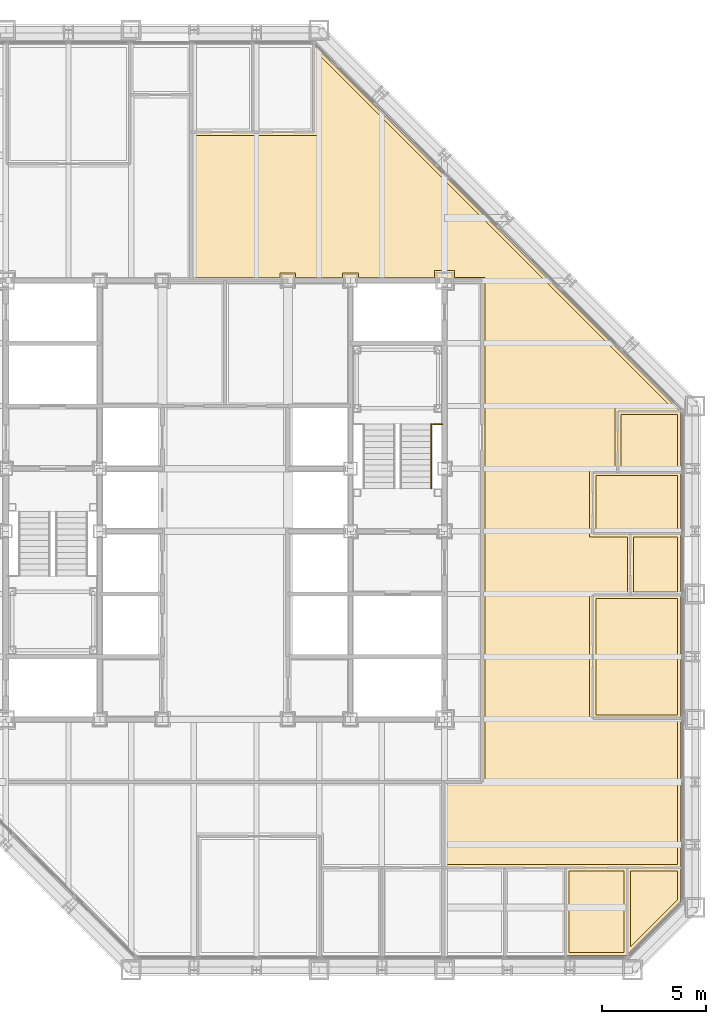
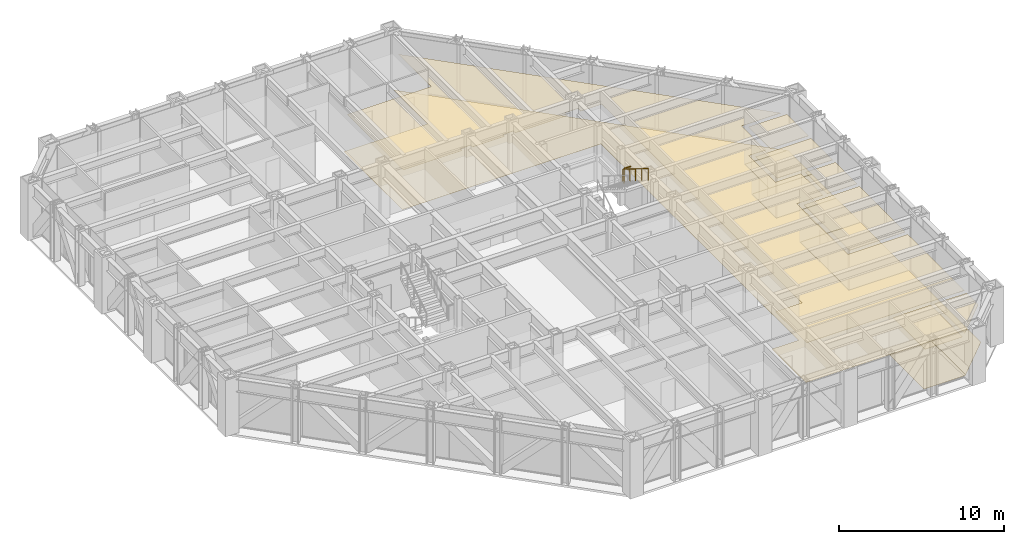
# One storey, part 15 of 16: 14 coverings, 2 railings.
"""IFC4 building model written with IfcOpenShell, lengths in metres."""

from ifc_helpers import new_model, si_unit, direction, frame, origin, origin_2d, place, context, subcontext, project, spatial, polyline, circle, outline, extrude, material, layer, layer_set, type_object, element, save


model = new_model("IFC4")

# Units and contexts
model_context = context("Model", 3, precision=1e-05, world=origin(), true_north=direction((0.0, 1.0)))
body_context = subcontext(model_context, "Body", "Model", "MODEL_VIEW")
ifc_project = project(units=[si_unit("LENGTHUNIT", "METRE"), si_unit("AREAUNIT", "SQUARE_METRE"), si_unit("VOLUMEUNIT", "CUBIC_METRE"), si_unit("PLANEANGLEUNIT", "RADIAN"), si_unit("MASSUNIT", "GRAM", prefix="KILO")], contexts=[model_context])

# Site, building, storey
site_placement = place(None, origin())
site = spatial("IfcSite", under=ifc_project, at=site_placement, CompositionType="ELEMENT")
building_placement = place(site_placement, origin())
building = spatial("IfcBuilding", under=site, at=building_placement, Name="Chuquiago Exchange Tower", CompositionType="ELEMENT")
storey_placement = place(building_placement, frame((0.0, 0.0, 153.0)))
storey = spatial("IfcBuildingStorey", under=building, at=storey_placement, Name="L33", CompositionType="ELEMENT", Elevation=153.0)

# Coverings
ifc_material_1 = material(Name="Mineral fibre tile, 600 x 600, on pale metal grid", Category="mineral fibre")
ifc_layer_1 = layer(ifc_material_1, 0.02001953125)
ifc_layer_set_1 = layer_set([ifc_layer_1], Name="CL1 suspended tile ceiling 20")
covering_type_1 = type_object("IfcCoveringType", Name="CL1 suspended tile ceiling 20", PredefinedType="CEILING", material=ifc_layer_set_1)
covering_1_placement = place(storey_placement, frame((0.0, 0.0, 2.800048828125)))
element("IfcCovering", 1, at=covering_1_placement, inside=storey, type_object=covering_type_1, Name="Ceiling Office", PredefinedType="CEILING", context=body_context, shape_type="SweptSolid", body=[
    extrude(outline(polyline([(38.963623046875, 0.85009765625), (38.963623046875, 4.75), (41.6015625, 4.75), (41.6015625, 0.85009765625), (38.963623046875, 0.85009765625)])), origin(), (0.0, 0.0, 1.0), 0.02001953125),
])
covering_2_placement = place(storey_placement, frame((0.0, 0.0, 2.800048828125)))
element("IfcCovering", 2, at=covering_2_placement, inside=storey, type_object=covering_type_1, Name="Ceiling Meeting room", PredefinedType="CEILING", context=body_context, shape_type="SweptSolid", body=[
    extrude(outline(polyline([(41.901611328125, 1.103515625), (41.901611328125, 4.75), (44.14990234375, 4.75), (44.14990234375, 3.35205078125), (41.901611328125, 1.103515625)])), origin(), (0.0, 0.0, 1.0), 0.02001953125),
])
covering_3_placement = place(storey_placement, frame((0.0, 0.0, 2.800048828125)))
element("IfcCovering", 3, at=covering_3_placement, inside=storey, type_object=covering_type_1, Name="Ceiling Meeting room", PredefinedType="CEILING", context=body_context, shape_type="SweptSolid", body=[
    extrude(outline(polyline([(40.25, 12.212158203125), (40.25, 17.787841796875), (44.14990234375, 17.787841796875), (44.14990234375, 12.212158203125), (40.25, 12.212158203125)])), origin(), (0.0, 0.0, 1.0), 0.02001953125),
])
covering_4_placement = place(storey_placement, frame((0.0, 0.0, 2.800048828125)))
element("IfcCovering", 4, at=covering_4_placement, inside=storey, type_object=covering_type_1, Name="Ceiling Focus room", PredefinedType="CEILING", context=body_context, shape_type="SweptSolid", body=[
    extrude(outline(polyline([(42.050048828125, 18.087890625), (42.050048828125, 20.7255859375), (44.14990234375, 20.7255859375), (44.14990234375, 18.087890625), (42.050048828125, 18.087890625)])), origin(), (0.0, 0.0, 1.0), 0.02001953125),
])
covering_5_placement = place(storey_placement, frame((0.0, 0.0, 2.800048828125)))
element("IfcCovering", 5, at=covering_5_placement, inside=storey, type_object=covering_type_1, Name="Ceiling Office", PredefinedType="CEILING", context=body_context, shape_type="SweptSolid", body=[
    extrude(outline(polyline([(40.25, 21.025634765625), (40.25, 23.66357421875), (44.14990234375, 23.66357421875), (44.14990234375, 21.025634765625), (40.25, 21.025634765625)])), origin(), (0.0, 0.0, 1.0), 0.02001953125),
])
covering_6_placement = place(storey_placement, frame((0.0, 0.0, 2.800048828125)))
element("IfcCovering", 6, at=covering_6_placement, inside=storey, type_object=covering_type_1, Name="Ceiling Pantry", PredefinedType="CEILING", context=body_context, shape_type="SweptSolid", body=[
    extrude(outline(polyline([(44.14990234375, 23.963623046875), (41.449951171875, 23.963623046875), (41.449951171875, 26.6015625), (44.14990234375, 26.6015625), (44.14990234375, 23.963623046875)])), origin(), (0.0, 0.0, 1.0), 0.02001953125),
])
covering_7_placement = place(storey_placement, frame((0.0, 0.0, 2.800048828125)))
element("IfcCovering", 7, at=covering_7_placement, inside=storey, type_object=covering_type_1, Name="Ceiling Open office east suite", PredefinedType="CEILING", context=body_context, shape_type="SweptSolid", body=[
    extrude(outline(polyline([(26.901611328125, 39.949951171875), (26.901611328125, 43.896484375), (43.896484375, 26.901611328125), (41.14990234375, 26.901611328125), (41.14990234375, 23.963623046875), (39.949951171875, 23.963623046875), (39.949951171875, 20.7255859375), (41.75, 20.7255859375), (41.75, 18.087890625), (39.949951171875, 18.087890625), (39.949951171875, 11.912109375), (44.14990234375, 11.912109375), (44.14990234375, 5.050048828125), (33.08837890625, 5.050048828125), (33.08837890625, 8.849609375), (34.950439453125, 8.85009765625), (34.950439453125, 33.150146484375), (33.47509765625, 33.150146484375), (33.47509765625, 33.47509765625), (32.52490234375, 33.47509765625), (32.52490234375, 33.150146484375), (28.875, 33.150146484375), (28.875, 33.375), (28.125, 33.375), (28.125, 33.150146484375), (25.875, 33.14990234375), (25.875, 33.375), (25.125, 33.375), (25.125, 33.14990234375), (21.026123046875, 33.14990234375), (21.026123046875, 39.949951171875), (26.901611328125, 39.949951171875)])), origin(), (0.0, 0.0, 1.0), 0.02001953125),
])
ifc_material_2 = material(Name="Carpet tile, 500 x 500, on the floor slab", Category="textile")
ifc_layer_2 = layer(ifc_material_2, 0.010009765625)
ifc_layer_set_2 = layer_set([ifc_layer_2], Name="FL1 carpet tile 10")
covering_type_2 = type_object("IfcCoveringType", Name="FL1 carpet tile 10", PredefinedType="FLOORING", material=ifc_layer_set_2)
covering_8_placement = place(storey_placement, origin())
element("IfcCovering", 8, at=covering_8_placement, inside=storey, type_object=covering_type_2, Name="Floor finish Office", PredefinedType="FLOORING", context=body_context, shape_type="SweptSolid", body=[
    extrude(outline(polyline([(41.710205078125, 0.699951171875), (38.813720703125, 0.699951171875), (38.813720703125, 4.89990234375), (41.75146484375, 4.89990234375), (41.75146484375, 0.741455078125), (41.710205078125, 0.699951171875)])), origin(), (0.0, 0.0, 1.0), 0.010009765625),
])
covering_9_placement = place(storey_placement, origin())
element("IfcCovering", 9, at=covering_9_placement, inside=storey, type_object=covering_type_2, Name="Floor finish Meeting room", PredefinedType="FLOORING", context=body_context, shape_type="SweptSolid", body=[
    extrude(outline(polyline([(44.300048828125, 3.289794921875), (41.75146484375, 0.741455078125), (41.75146484375, 4.89990234375), (44.300048828125, 4.89990234375), (44.300048828125, 3.289794921875)])), origin(), (0.0, 0.0, 1.0), 0.010009765625),
])
covering_10_placement = place(storey_placement, origin())
element("IfcCovering", 10, at=covering_10_placement, inside=storey, type_object=covering_type_2, Name="Floor finish Meeting room", PredefinedType="FLOORING", context=body_context, shape_type="SweptSolid", body=[
    extrude(outline(polyline([(44.300048828125, 12.06201171875), (40.10009765625, 12.06201171875), (40.10009765625, 17.93798828125), (44.300048828125, 17.93798828125), (44.300048828125, 12.06201171875)])), origin(), (0.0, 0.0, 1.0), 0.010009765625),
])
covering_11_placement = place(storey_placement, origin())
element("IfcCovering", 11, at=covering_11_placement, inside=storey, type_object=covering_type_2, Name="Floor finish Focus room", PredefinedType="FLOORING", context=body_context, shape_type="SweptSolid", body=[
    extrude(outline(polyline([(44.300048828125, 17.93798828125), (41.89990234375, 17.93798828125), (41.89990234375, 20.875732421875), (44.300048828125, 20.875732421875), (44.300048828125, 17.93798828125)])), origin(), (0.0, 0.0, 1.0), 0.010009765625),
])
covering_12_placement = place(storey_placement, origin())
element("IfcCovering", 12, at=covering_12_placement, inside=storey, type_object=covering_type_2, Name="Floor finish Office", PredefinedType="FLOORING", context=body_context, shape_type="SweptSolid", body=[
    extrude(outline(polyline([(44.300048828125, 20.875732421875), (40.10009765625, 20.875732421875), (40.10009765625, 23.813720703125), (44.300048828125, 23.813720703125), (44.300048828125, 20.875732421875)])), origin(), (0.0, 0.0, 1.0), 0.010009765625),
])
covering_13_placement = place(storey_placement, origin())
element("IfcCovering", 13, at=covering_13_placement, inside=storey, type_object=covering_type_2, Name="Floor finish Open office east suite", PredefinedType="FLOORING", context=body_context, shape_type="SweptSolid", body=[
    extrude(outline(polyline([(20.876220703125, 40.10009765625), (26.75146484375, 40.10009765625), (26.75146484375, 44.258544921875), (44.258544921875, 26.75146484375), (41.300048828125, 26.75146484375), (41.300048828125, 23.813720703125), (40.10009765625, 23.813720703125), (40.10009765625, 20.875732421875), (41.89990234375, 20.875732421875), (41.89990234375, 17.93798828125), (40.10009765625, 17.93798828125), (40.10009765625, 12.06201171875), (44.300048828125, 12.06201171875), (44.300048828125, 4.89990234375), (32.9384765625, 4.89990234375), (32.9384765625, 8.99951171875), (34.800537109375, 9.0), (34.800537109375, 33.0), (20.876220703125, 33.0), (20.876220703125, 40.10009765625)])), origin(), (0.0, 0.0, 1.0), 0.010009765625),
])
ifc_material_3 = material(Name="Porcelain floor tile, 600 x 600, on adhesive bed", Category="ceramic")
ifc_layer_3 = layer(ifc_material_3, 0.014892578125)
ifc_layer_set_3 = layer_set([ifc_layer_3], Name="FL2 porcelain tile 15")
covering_type_3 = type_object("IfcCoveringType", Name="FL2 porcelain tile 15", PredefinedType="FLOORING", material=ifc_layer_set_3)
covering_14_placement = place(storey_placement, origin())
element("IfcCovering", 14, at=covering_14_placement, inside=storey, type_object=covering_type_3, Name="Floor finish Pantry", PredefinedType="FLOORING", context=body_context, shape_type="SweptSolid", body=[
    extrude(outline(polyline([(44.300048828125, 26.710205078125), (44.300048828125, 23.813720703125), (41.300048828125, 23.813720703125), (41.300048828125, 26.75146484375), (44.258544921875, 26.75146484375), (44.300048828125, 26.710205078125)])), origin(), (0.0, 0.0, 1.0), 0.014892578125),
])

# Railings
ifc_material_4 = material(Name="Pale metal guard with safety glass infill", Category="glass")
railing_type_1 = type_object("IfcRailingType", Name="GR1 guard 1100", PredefinedType="GUARDRAIL", material=ifc_material_4)
railing_1_placement = place(storey_placement, frame((32.445068359375, 26.1298828125, 2.10009765625)))
element("IfcRailing", 15, at=railing_1_placement, inside=storey, type_object=railing_type_1, Name="Guard ST2 L33 landing 2", PredefinedType="GUARDRAIL", context=body_context, shape_type="SweptSolid", body=[
    extrude(circle(Radius=0.02392578125, at=origin_2d()), frame((0.0, 0.0, 1.076171875), z_axis=(1.0, 0.0, 0.0), x_axis=(0.0, 1.0, 0.0)), (0.0, 0.0, 1.0), 0.454833984375),
    extrude(circle(Radius=0.02099609375, at=origin_2d()), origin(), (0.0, 0.0, 1.0), 1.052001953125),
    extrude(circle(Radius=0.02099609375, at=origin_2d()), frame((0.454833984375, 0.0, 0.0)), (0.0, 0.0, 1.0), 1.052001953125),
])
ifc_material_5 = material(Name="Pale metal handrail", Category="steel")
railing_type_2 = type_object("IfcRailingType", Name="HR1 handrail 900", PredefinedType="HANDRAIL", material=ifc_material_5)
railing_2_placement = place(storey_placement, frame((32.364990234375, 26.1298828125, 2.27490234375)))
element("IfcRailing", 16, at=railing_2_placement, inside=storey, type_object=railing_type_2, Name="Handrail ST2 L33 flight 2", PredefinedType="HANDRAIL", context=body_context, shape_type="SweptSolid", body=[
    extrude(circle(Radius=0.02392578125, at=origin_2d()), frame((0.0, 0.0, 0.8759765625), z_axis=(0.0, -0.847979421464, 0.530029150871), x_axis=(1.0, 0.0, 0.0)), (0.0, 0.0, 1.0), 3.632080078125),
    extrude(circle(Radius=0.02099609375, at=origin_2d()), origin(), (0.0, 0.0, 1.0), 0.851806640625),
    extrude(circle(Radius=0.02099609375, at=origin_2d()), frame((0.0, -0.77001953125, 0.481201171875)), (0.0, 0.0, 1.0), 0.851806640625),
    extrude(circle(Radius=0.02099609375, at=origin_2d()), frame((0.0, -1.5400390625, 0.96240234375)), (0.0, 0.0, 1.0), 0.851806640625),
    extrude(circle(Radius=0.02099609375, at=origin_2d()), frame((0.0, -2.309814453125, 1.44384765625)), (0.0, 0.0, 1.0), 0.851806640625),
    extrude(circle(Radius=0.02099609375, at=origin_2d()), frame((0.0, -3.079833984375, 1.925048828125)), (0.0, 0.0, 1.0), 0.851806640625),
])

save(model, "model.ifc")
